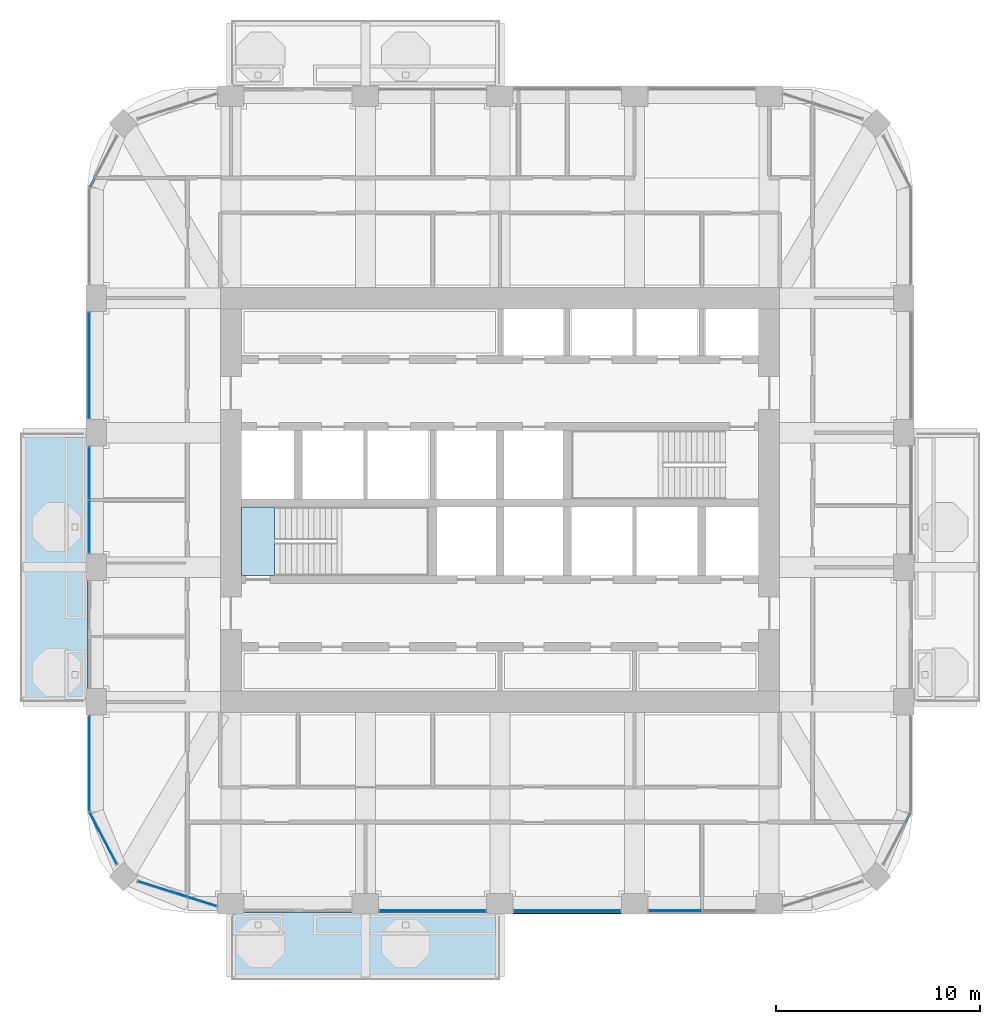
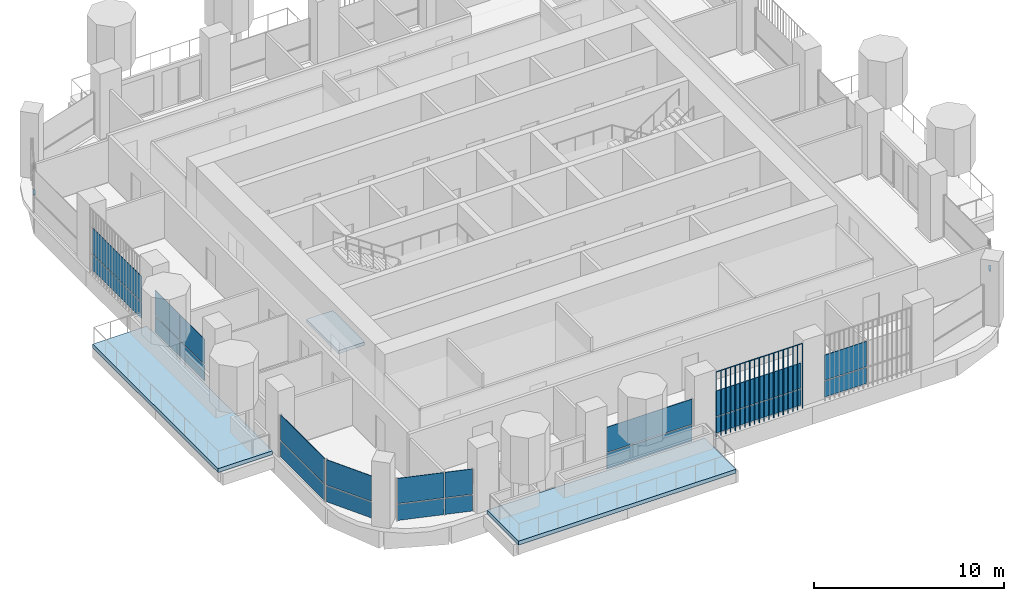
# One storey, part 8 of 20: 21 plates, 3 slabs, 2 members, 11 elements without a shape of their own.
"""IFC4 building model written with IfcOpenShell, lengths in metres."""

from ifc_helpers import new_model, si_unit, direction, frame, origin, origin_2d, place, context, subcontext, project, spatial, polyline, rectangle, outline, extrude, material, layer, layer_set, material_profile, profile_set, type_object, element, aggregate, save


model = new_model("IFC4")

# Units and contexts
model_context = context("Model", 3, precision=1e-05, world=origin(), true_north=direction((0.0, 1.0)))
body_context = subcontext(model_context, "Body", "Model", "MODEL_VIEW")
ifc_project = project(units=[si_unit("LENGTHUNIT", "METRE"), si_unit("AREAUNIT", "SQUARE_METRE"), si_unit("VOLUMEUNIT", "CUBIC_METRE"), si_unit("PLANEANGLEUNIT", "RADIAN"), si_unit("MASSUNIT", "GRAM", prefix="KILO")], contexts=[model_context])

# Site, building, storey
site_placement = place(None, origin())
site = spatial("IfcSite", under=ifc_project, at=site_placement, CompositionType="ELEMENT")
building_placement = place(site_placement, origin())
building = spatial("IfcBuilding", under=site, at=building_placement, Name="Cobogo Forest Laboratory Tower", CompositionType="ELEMENT")
storey_placement = place(building_placement, frame((0.0, 0.0, 246.0)))
storey = spatial("IfcBuildingStorey", under=building, at=storey_placement, Name="L56", CompositionType="ELEMENT", Elevation=246.0)

# Curtain wall, member
ifc_material_1 = material(Name="Aluminium curtain wall", Category="aluminium")
curtain_wall_type = type_object("IfcCurtainWallType", Name="CW-2 unitised curtain wall, solar control glazing, laboratory floors zones C and D", PredefinedType="USERDEFINED", material=ifc_material_1)
curtain_wall_1_placement = place(storey_placement, origin())
curtain_wall_1 = element("IfcCurtainWall", 1, at=curtain_wall_1_placement, inside=storey, type_object=curtain_wall_type, Name="Curtain wall 06 L56", ObjectType="UNITISED CURTAIN WALL", PredefinedType="USERDEFINED")
ifc_material_2 = material(Name="Aluminium transom", Category="aluminium")
ifc_material_profile = material_profile(ifc_material_2, rectangle(XDim=0.1201171875, YDim=0.06005859375, at=origin_2d()), Name="AL 60x120")
ifc_profile_set = profile_set([ifc_material_profile], Name="Aluminium transom")
member_type = type_object("IfcMemberType", Name="TR-1 aluminium transom 60x120", PredefinedType="USERDEFINED", material=ifc_profile_set)
member_1_placement = place(storey_placement, frame((46.282470703125, 7.289306640625, 1.050048828125), z_axis=(0.46414828098, 0.885757513806, 0.0), x_axis=(-0.885757513806, 0.46414828098, 0.0)))
member_1 = element("IfcMember", 2, at=member_1_placement, type_object=member_type, Name="CW-2 transom 2.1", ObjectType="TRANSOM", PredefinedType="USERDEFINED", context=body_context, shape_type="SweptSolid", body=[
    extrude(rectangle(XDim=0.1201171875, YDim=0.06005859375, at=origin_2d()), origin(), (0.0, 0.0, 1.0), 0.5166015625),
])
aggregate(curtain_wall_1, [member_1])

curtain_wall_2_placement = place(storey_placement, origin())
curtain_wall_2 = element("IfcCurtainWall", 3, at=curtain_wall_2_placement, inside=storey, type_object=curtain_wall_type, Name="Curtain wall 19 L56", ObjectType="UNITISED CURTAIN WALL", PredefinedType="USERDEFINED")
member_2_placement = place(storey_placement, frame((6.517578125, 38.91064453125, 1.050048828125), z_axis=(-0.46414828098, -0.885757513806, 0.0), x_axis=(0.885757513806, -0.46414828098, 0.0)))
member_2 = element("IfcMember", 4, at=member_2_placement, type_object=member_type, Name="CW-2 transom 2.1", ObjectType="TRANSOM", PredefinedType="USERDEFINED", context=body_context, shape_type="SweptSolid", body=[
    extrude(rectangle(XDim=0.1201171875, YDim=0.06005859375, at=origin_2d()), origin(), (0.0, 0.0, 1.0), 0.5166015625),
])
aggregate(curtain_wall_2, [member_2])

# Slabs
ifc_material_3 = material(Name="Concrete HA-40 (C40/50)", Category="concrete")
ifc_layer_1 = layer(ifc_material_3, 0.25)
ifc_layer_set_1 = layer_set([ifc_layer_1], Name="Balcony slab 250")
slab_type_1 = type_object("IfcSlabType", Name="Balcony slab 250", PredefinedType="FLOOR", material=ifc_layer_set_1)
slab_1_placement = place(storey_placement, frame((0.0, 0.0, -0.25)))
element("IfcSlab", 5, at=slab_1_placement, inside=storey, type_object=slab_type_1, Name="Balcony BAL-S1 L56", PredefinedType="FLOOR", context=body_context, shape_type="SweptSolid", body=[
    extrude(outline(polyline([(13.199951171875, -0.449951171875), (26.39990234375, -0.449951171875), (26.39990234375, 2.85009765625), (13.199951171875, 2.85009765625), (13.199951171875, -0.449951171875)])), origin(), (0.0, 0.0, 1.0), 0.25),
])
slab_2_placement = place(storey_placement, frame((0.0, 0.0, -0.25)))
element("IfcSlab", 6, at=slab_2_placement, inside=storey, type_object=slab_type_1, Name="Balcony BAL-W1 L56", PredefinedType="FLOOR", context=body_context, shape_type="SweptSolid", body=[
    extrude(outline(polyline([(2.85009765625, 13.199951171875), (6.14990234375, 13.199951171875), (6.14990234375, 26.39990234375), (2.85009765625, 26.39990234375), (2.85009765625, 13.199951171875)])), origin(), (0.0, 0.0, 1.0), 0.25),
])

# Curtain wall, plates
curtain_wall_3_placement = place(storey_placement, origin())
curtain_wall_3 = element("IfcCurtainWall", 7, at=curtain_wall_3_placement, inside=storey, type_object=curtain_wall_type, Name="Curtain wall 02 L56", ObjectType="UNITISED CURTAIN WALL", PredefinedType="USERDEFINED")
ifc_material_4 = material(Name="Solar control insulated glass", Category="glass")
ifc_layer_2 = layer(ifc_material_4, 0.031982421875)
ifc_layer_set_2 = layer_set([ifc_layer_2], Name="GP-2 solar control glass unit 32")
plate_type_1 = type_object("IfcPlateType", Name="GP-2 solar control glass unit 32", PredefinedType="CURTAIN_PANEL", material=ifc_layer_set_2)
plate_1_placement = place(storey_placement, frame((23.10009765625, 2.949951171875, 0.0), z_axis=(0.0, 0.0, 1.0), x_axis=(1.0, 0.0, 0.0)))
plate_1 = element("IfcPlate", 8, at=plate_1_placement, type_object=plate_type_1, Name="CW-2 panel 1.1", PredefinedType="CURTAIN_PANEL", context=body_context, shape_type="SweptSolid", body=[
    extrude(rectangle(XDim=5.179931640625, YDim=0.031982421875, at=origin_2d()), origin(), (0.0, 0.0, 1.0), 1.02001953125),
])
plate_2_placement = place(storey_placement, frame((23.10009765625, 2.949951171875, 1.079833984375), z_axis=(0.0, 0.0, 1.0), x_axis=(1.0, 0.0, 0.0)))
plate_2 = element("IfcPlate", 9, at=plate_2_placement, type_object=plate_type_1, Name="CW-2 panel 1.2", PredefinedType="CURTAIN_PANEL", context=body_context, shape_type="SweptSolid", body=[
    extrude(rectangle(XDim=5.179931640625, YDim=0.031982421875, at=origin_2d()), origin(), (0.0, 0.0, 1.0), 1.6201171875),
])
aggregate(curtain_wall_3, [plate_1, plate_2])

curtain_wall_4_placement = place(storey_placement, origin())
curtain_wall_4 = element("IfcCurtainWall", 10, at=curtain_wall_4_placement, inside=storey, type_object=curtain_wall_type, Name="Curtain wall 03 L56", ObjectType="UNITISED CURTAIN WALL", PredefinedType="USERDEFINED")
plate_3_placement = place(storey_placement, frame((29.699951171875, 2.949951171875, 0.0), z_axis=(0.0, 0.0, 1.0), x_axis=(1.0, 0.0, 0.0)))
plate_3 = element("IfcPlate", 11, at=plate_3_placement, type_object=plate_type_1, Name="CW-2 panel 1.1", PredefinedType="CURTAIN_PANEL", context=body_context, shape_type="SweptSolid", body=[
    extrude(rectangle(XDim=5.179931640625, YDim=0.031982421875, at=origin_2d()), origin(), (0.0, 0.0, 1.0), 1.02001953125),
])
plate_4_placement = place(storey_placement, frame((29.699951171875, 2.949951171875, 1.079833984375), z_axis=(0.0, 0.0, 1.0), x_axis=(1.0, 0.0, 0.0)))
plate_4 = element("IfcPlate", 12, at=plate_4_placement, type_object=plate_type_1, Name="CW-2 panel 1.2", PredefinedType="CURTAIN_PANEL", context=body_context, shape_type="SweptSolid", body=[
    extrude(rectangle(XDim=5.179931640625, YDim=0.031982421875, at=origin_2d()), origin(), (0.0, 0.0, 1.0), 1.6201171875),
])
aggregate(curtain_wall_4, [plate_3, plate_4])

curtain_wall_5_placement = place(storey_placement, origin())
curtain_wall_5 = element("IfcCurtainWall", 13, at=curtain_wall_5_placement, inside=storey, type_object=curtain_wall_type, Name="Curtain wall 04 L56", ObjectType="UNITISED CURTAIN WALL", PredefinedType="USERDEFINED")
plate_5_placement = place(storey_placement, frame((34.989990234375, 2.949951171875, 0.0), z_axis=(0.0, 0.0, 1.0), x_axis=(1.0, 0.0, 0.0)))
plate_5 = element("IfcPlate", 14, at=plate_5_placement, type_object=plate_type_1, Name="CW-2 panel 1.1", PredefinedType="CURTAIN_PANEL", context=body_context, shape_type="SweptSolid", body=[
    extrude(rectangle(XDim=2.56005859375, YDim=0.031982421875, at=origin_2d()), origin(), (0.0, 0.0, 1.0), 1.02001953125),
])
plate_6_placement = place(storey_placement, frame((34.989990234375, 2.949951171875, 1.079833984375), z_axis=(0.0, 0.0, 1.0), x_axis=(1.0, 0.0, 0.0)))
plate_6 = element("IfcPlate", 15, at=plate_6_placement, type_object=plate_type_1, Name="CW-2 panel 1.2", PredefinedType="CURTAIN_PANEL", context=body_context, shape_type="SweptSolid", body=[
    extrude(rectangle(XDim=2.56005859375, YDim=0.031982421875, at=origin_2d()), origin(), (0.0, 0.0, 1.0), 1.6201171875),
])
aggregate(curtain_wall_5, [plate_5, plate_6])

curtain_wall_6_placement = place(storey_placement, origin())
curtain_wall_6 = element("IfcCurtainWall", 16, at=curtain_wall_6_placement, inside=storey, type_object=curtain_wall_type, Name="Curtain wall 21 L56", ObjectType="UNITISED CURTAIN WALL", PredefinedType="USERDEFINED")
plate_7_placement = place(storey_placement, frame((6.25, 29.699951171875, 0.0), z_axis=(0.0, 0.0, 1.0), x_axis=(0.0, -1.0, 0.0)))
plate_7 = element("IfcPlate", 17, at=plate_7_placement, type_object=plate_type_1, Name="CW-2 panel 1.1", PredefinedType="CURTAIN_PANEL", context=body_context, shape_type="SweptSolid", body=[
    extrude(rectangle(XDim=5.179931640625, YDim=0.031982421875, at=origin_2d()), origin(), (0.0, 0.0, 1.0), 1.02001953125),
])
plate_8_placement = place(storey_placement, frame((6.25, 29.699951171875, 1.079833984375), z_axis=(0.0, 0.0, 1.0), x_axis=(0.0, -1.0, 0.0)))
plate_8 = element("IfcPlate", 18, at=plate_8_placement, type_object=plate_type_1, Name="CW-2 panel 1.2", PredefinedType="CURTAIN_PANEL", context=body_context, shape_type="SweptSolid", body=[
    extrude(rectangle(XDim=5.179931640625, YDim=0.031982421875, at=origin_2d()), origin(), (0.0, 0.0, 1.0), 1.6201171875),
])
aggregate(curtain_wall_6, [plate_7, plate_8])

curtain_wall_7_placement = place(storey_placement, origin())
curtain_wall_7 = element("IfcCurtainWall", 19, at=curtain_wall_7_placement, inside=storey, type_object=curtain_wall_type, Name="Curtain wall 22 L56", ObjectType="UNITISED CURTAIN WALL", PredefinedType="USERDEFINED")
plate_9_placement = place(storey_placement, frame((6.25, 24.409912109375, 0.0), z_axis=(0.0, 0.0, 1.0), x_axis=(0.0, -1.0, 0.0)))
plate_9 = element("IfcPlate", 20, at=plate_9_placement, type_object=plate_type_1, Name="CW-2 panel 1.1", PredefinedType="CURTAIN_PANEL", context=body_context, shape_type="SweptSolid", body=[
    extrude(rectangle(XDim=2.56005859375, YDim=0.031982421875, at=origin_2d()), origin(), (0.0, 0.0, 1.0), 1.02001953125),
])
plate_10_placement = place(storey_placement, frame((6.25, 24.409912109375, 1.079833984375), z_axis=(0.0, 0.0, 1.0), x_axis=(0.0, -1.0, 0.0)))
plate_10 = element("IfcPlate", 21, at=plate_10_placement, type_object=plate_type_1, Name="CW-2 panel 1.2", PredefinedType="CURTAIN_PANEL", context=body_context, shape_type="SweptSolid", body=[
    extrude(rectangle(XDim=2.56005859375, YDim=0.031982421875, at=origin_2d()), origin(), (0.0, 0.0, 1.0), 1.6201171875),
])
plate_11_placement = place(storey_placement, frame((6.25, 21.7900390625, 0.0), z_axis=(0.0, 0.0, 1.0), x_axis=(0.0, -1.0, 0.0)))
plate_11 = element("IfcPlate", 22, at=plate_11_placement, type_object=plate_type_1, Name="CW-2 panel 2.1", PredefinedType="CURTAIN_PANEL", context=body_context, shape_type="SweptSolid", body=[
    extrude(rectangle(XDim=2.56005859375, YDim=0.031982421875, at=origin_2d()), origin(), (0.0, 0.0, 1.0), 1.02001953125),
])
plate_12_placement = place(storey_placement, frame((6.25, 21.7900390625, 1.079833984375), z_axis=(0.0, 0.0, 1.0), x_axis=(0.0, -1.0, 0.0)))
plate_12 = element("IfcPlate", 23, at=plate_12_placement, type_object=plate_type_1, Name="CW-2 panel 2.2", PredefinedType="CURTAIN_PANEL", context=body_context, shape_type="SweptSolid", body=[
    extrude(rectangle(XDim=2.56005859375, YDim=0.031982421875, at=origin_2d()), origin(), (0.0, 0.0, 1.0), 1.6201171875),
])
aggregate(curtain_wall_7, [plate_9, plate_10, plate_11, plate_12])

curtain_wall_8_placement = place(storey_placement, origin())
curtain_wall_8 = element("IfcCurtainWall", 24, at=curtain_wall_8_placement, inside=storey, type_object=curtain_wall_type, Name="Curtain wall 24 L56", ObjectType="UNITISED CURTAIN WALL", PredefinedType="USERDEFINED")
plate_13_placement = place(storey_placement, frame((6.25, 10.175048828125, 0.0), z_axis=(0.0, 0.0, 1.0), x_axis=(0.0, -1.0, 0.0)))
plate_13 = element("IfcPlate", 25, at=plate_13_placement, type_object=plate_type_1, Name="CW-2 panel 1.1", PredefinedType="CURTAIN_PANEL", context=body_context, shape_type="SweptSolid", body=[
    extrude(rectangle(XDim=4.6298828125, YDim=0.031982421875, at=origin_2d()), origin(), (0.0, 0.0, 1.0), 1.02001953125),
])
plate_14_placement = place(storey_placement, frame((6.25, 10.175048828125, 1.079833984375), z_axis=(0.0, 0.0, 1.0), x_axis=(0.0, -1.0, 0.0)))
plate_14 = element("IfcPlate", 26, at=plate_14_placement, type_object=plate_type_1, Name="CW-2 panel 1.2", PredefinedType="CURTAIN_PANEL", context=body_context, shape_type="SweptSolid", body=[
    extrude(rectangle(XDim=4.6298828125, YDim=0.031982421875, at=origin_2d()), origin(), (0.0, 0.0, 1.0), 1.6201171875),
])
aggregate(curtain_wall_8, [plate_13, plate_14])

curtain_wall_9_placement = place(storey_placement, origin())
curtain_wall_9 = element("IfcCurtainWall", 27, at=curtain_wall_9_placement, inside=storey, type_object=curtain_wall_type, Name="Curtain wall 25 L56", ObjectType="UNITISED CURTAIN WALL", PredefinedType="USERDEFINED")
plate_15_placement = place(storey_placement, frame((6.930908203125, 6.501220703125, 0.0), z_axis=(0.0, 0.0, 1.0), x_axis=(0.464283791352, -0.885686491422, 0.0)))
plate_15 = element("IfcPlate", 28, at=plate_15_placement, type_object=plate_type_1, Name="CW-2 panel 1.1", PredefinedType="CURTAIN_PANEL", context=body_context, shape_type="SweptSolid", body=[
    extrude(rectangle(XDim=2.812744140625, YDim=0.031982421875, at=origin_2d()), origin(), (0.0, 0.0, 1.0), 1.02001953125),
])
plate_16_placement = place(storey_placement, frame((6.930908203125, 6.501220703125, 1.079833984375), z_axis=(0.0, 0.0, 1.0), x_axis=(0.464283791352, -0.885686491422, 0.0)))
plate_16 = element("IfcPlate", 29, at=plate_16_placement, type_object=plate_type_1, Name="CW-2 panel 1.2", PredefinedType="CURTAIN_PANEL", context=body_context, shape_type="SweptSolid", body=[
    extrude(rectangle(XDim=2.812744140625, YDim=0.031982421875, at=origin_2d()), origin(), (0.0, 0.0, 1.0), 1.6201171875),
])
aggregate(curtain_wall_9, [plate_15, plate_16])

curtain_wall_10_placement = place(storey_placement, origin())
curtain_wall_10 = element("IfcCurtainWall", 30, at=curtain_wall_10_placement, inside=storey, type_object=curtain_wall_type, Name="Curtain wall 26 L56", ObjectType="UNITISED CURTAIN WALL", PredefinedType="USERDEFINED")
plate_17_placement = place(storey_placement, frame((9.83740234375, 4.011962890625, 0.0), z_axis=(0.0, 0.0, 1.0), x_axis=(0.953581386052, -0.301135418334, 0.0)))
plate_17 = element("IfcPlate", 31, at=plate_17_placement, type_object=plate_type_1, Name="CW-2 panel 1.1", PredefinedType="CURTAIN_PANEL", context=body_context, shape_type="SweptSolid", body=[
    extrude(rectangle(XDim=2.4853515625, YDim=0.031982421875, at=origin_2d()), origin(), (0.0, 0.0, 1.0), 1.02001953125),
])
plate_18_placement = place(storey_placement, frame((9.83740234375, 4.011962890625, 1.079833984375), z_axis=(0.0, 0.0, 1.0), x_axis=(0.953581386052, -0.301135418334, 0.0)))
plate_18 = element("IfcPlate", 32, at=plate_18_placement, type_object=plate_type_1, Name="CW-2 panel 1.2", PredefinedType="CURTAIN_PANEL", context=body_context, shape_type="SweptSolid", body=[
    extrude(rectangle(XDim=2.4853515625, YDim=0.031982421875, at=origin_2d()), origin(), (0.0, 0.0, 1.0), 1.6201171875),
])
plate_19_placement = place(storey_placement, frame((11.7861328125, 3.396484375, 0.0), z_axis=(0.0, 0.0, 1.0), x_axis=(0.953581386052, -0.301135418334, 0.0)))
plate_19 = element("IfcPlate", 33, at=plate_19_placement, type_object=plate_type_1, Name="CW-2 panel 2.1", PredefinedType="CURTAIN_PANEL", context=body_context, shape_type="SweptSolid", body=[
    extrude(rectangle(XDim=1.482177734375, YDim=0.031982421875, at=origin_2d()), origin(), (0.0, 0.0, 1.0), 1.02001953125),
])
plate_20_placement = place(storey_placement, frame((11.7861328125, 3.396484375, 1.079833984375), z_axis=(0.0, 0.0, 1.0), x_axis=(0.953581386052, -0.301135418334, 0.0)))
plate_20 = element("IfcPlate", 34, at=plate_20_placement, type_object=plate_type_1, Name="CW-2 panel 2.2", PredefinedType="CURTAIN_PANEL", context=body_context, shape_type="SweptSolid", body=[
    extrude(rectangle(XDim=1.482177734375, YDim=0.031982421875, at=origin_2d()), origin(), (0.0, 0.0, 1.0), 1.6201171875),
])
aggregate(curtain_wall_10, [plate_17, plate_18, plate_19, plate_20])

# Stair, slab
ifc_material_5 = material(Name="Precast concrete HA-40 (C40/50)", Category="concrete")
stair_type = type_object("IfcStairType", Name="ST24 exit stair 24 risers", PredefinedType="HALF_TURN_STAIR", material=ifc_material_5)
stair_placement = place(storey_placement, origin())
stair = element("IfcStair", 35, at=stair_placement, inside=storey, type_object=stair_type, Name="Stair 1 L56 to L57", PredefinedType="HALF_TURN_STAIR")
ifc_layer_3 = layer(ifc_material_3, 0.199951171875)
ifc_layer_set_3 = layer_set([ifc_layer_3], Name="SL stair landing 200")
slab_type_2 = type_object("IfcSlabType", Name="SL stair landing 200", PredefinedType="LANDING", material=ifc_layer_set_3)
slab_3_placement = place(storey_placement, frame((0.0, 0.0, -0.199951171875)))
slab_3 = element("IfcSlab", 36, at=slab_3_placement, type_object=slab_type_2, Name="ST1 landing 1", PredefinedType="LANDING", context=body_context, shape_type="SweptSolid", body=[
    extrude(outline(polyline([(13.72509765625, 19.39990234375), (15.326904296875, 19.39990234375), (15.326904296875, 22.75), (13.72509765625, 22.75), (13.72509765625, 19.39990234375)])), origin(), (0.0, 0.0, 1.0), 0.199951171875),
])
aggregate(stair, [slab_3])

# Plate
ifc_material_6 = material(Name="Terracotta", Category="masonry")
plate_type_2 = type_object("IfcPlateType", Name="TB1 terracotta baguette screen", PredefinedType="USERDEFINED", material=ifc_material_6)
plate_21_placement = place(storey_placement, frame((27.081298828125, 2.822021484375, -0.14990234375)))
element("IfcPlate", 37, at=plate_21_placement, inside=storey, type_object=plate_type_2, Name="Baguette screen S3 L56", ObjectType="BAGUETTE SCREEN", PredefinedType="USERDEFINED", context=body_context, shape_type="SweptSolid", body=[
    extrude(outline(polyline([(0.02880859375, 0.011962890625), (0.011962890625, 0.02880859375), (-0.011962890625, 0.02880859375), (-0.02880859375, 0.011962890625), (-0.02880859375, -0.011962890625), (-0.011962890625, -0.02880859375), (0.011962890625, -0.02880859375), (0.02880859375, -0.011962890625), (0.02880859375, 0.011962890625)])), frame((0.0, 0.0, 4.168701171875), z_axis=(1.0, 0.0, 0.0), x_axis=(0.0, 1.0, 0.0)), (0.0, 0.0, 1.0), 5.237548828125),
    extrude(outline(polyline([(0.02880859375, 0.011962890625), (0.011962890625, 0.02880859375), (-0.011962890625, 0.02880859375), (-0.02880859375, 0.011962890625), (-0.02880859375, -0.011962890625), (-0.011962890625, -0.02880859375), (0.011962890625, -0.02880859375), (0.02880859375, -0.011962890625), (0.02880859375, 0.011962890625)])), origin(), (0.0, 0.0, 1.0), 4.137451171875),
    extrude(outline(polyline([(0.02880859375, 0.011962890625), (0.011962890625, 0.02880859375), (-0.011962890625, 0.02880859375), (-0.02880859375, 0.011962890625), (-0.02880859375, -0.011962890625), (-0.011962890625, -0.02880859375), (0.011962890625, -0.02880859375), (0.02880859375, -0.011962890625), (0.02880859375, 0.011962890625)])), frame((0.291015625, 0.0, 0.0)), (0.0, 0.0, 1.0), 4.137451171875),
    extrude(outline(polyline([(0.02880859375, 0.011962890625), (0.011962890625, 0.02880859375), (-0.011962890625, 0.02880859375), (-0.02880859375, 0.011962890625), (-0.02880859375, -0.011962890625), (-0.011962890625, -0.02880859375), (0.011962890625, -0.02880859375), (0.02880859375, -0.011962890625), (0.02880859375, 0.011962890625)])), frame((0.58203125, 0.0, 0.0)), (0.0, 0.0, 1.0), 4.137451171875),
    extrude(outline(polyline([(0.02880859375, 0.011962890625), (0.011962890625, 0.02880859375), (-0.011962890625, 0.02880859375), (-0.02880859375, 0.011962890625), (-0.02880859375, -0.011962890625), (-0.011962890625, -0.02880859375), (0.011962890625, -0.02880859375), (0.02880859375, -0.011962890625), (0.02880859375, 0.011962890625)])), frame((0.873046875, 0.0, 0.0)), (0.0, 0.0, 1.0), 4.137451171875),
    extrude(outline(polyline([(0.02880859375, 0.011962890625), (0.011962890625, 0.02880859375), (-0.011962890625, 0.02880859375), (-0.02880859375, 0.011962890625), (-0.02880859375, -0.011962890625), (-0.011962890625, -0.02880859375), (0.011962890625, -0.02880859375), (0.02880859375, -0.011962890625), (0.02880859375, 0.011962890625)])), frame((1.163818359375, 0.0, 0.0)), (0.0, 0.0, 1.0), 4.137451171875),
    extrude(outline(polyline([(0.02880859375, 0.011962890625), (0.011962890625, 0.02880859375), (-0.011962890625, 0.02880859375), (-0.02880859375, 0.011962890625), (-0.02880859375, -0.011962890625), (-0.011962890625, -0.02880859375), (0.011962890625, -0.02880859375), (0.02880859375, -0.011962890625), (0.02880859375, 0.011962890625)])), frame((1.454833984375, 0.0, 0.0)), (0.0, 0.0, 1.0), 4.137451171875),
    extrude(outline(polyline([(0.02880859375, 0.011962890625), (0.011962890625, 0.02880859375), (-0.011962890625, 0.02880859375), (-0.02880859375, 0.011962890625), (-0.02880859375, -0.011962890625), (-0.011962890625, -0.02880859375), (0.011962890625, -0.02880859375), (0.02880859375, -0.011962890625), (0.02880859375, 0.011962890625)])), frame((1.745849609375, 0.0, 0.0)), (0.0, 0.0, 1.0), 4.137451171875),
    extrude(outline(polyline([(0.02880859375, 0.011962890625), (0.011962890625, 0.02880859375), (-0.011962890625, 0.02880859375), (-0.02880859375, 0.011962890625), (-0.02880859375, -0.011962890625), (-0.011962890625, -0.02880859375), (0.011962890625, -0.02880859375), (0.02880859375, -0.011962890625), (0.02880859375, 0.011962890625)])), frame((2.036865234375, 0.0, 0.0)), (0.0, 0.0, 1.0), 4.137451171875),
    extrude(outline(polyline([(0.02880859375, 0.011962890625), (0.011962890625, 0.02880859375), (-0.011962890625, 0.02880859375), (-0.02880859375, 0.011962890625), (-0.02880859375, -0.011962890625), (-0.011962890625, -0.02880859375), (0.011962890625, -0.02880859375), (0.02880859375, -0.011962890625), (0.02880859375, 0.011962890625)])), frame((2.327880859375, 0.0, 0.0)), (0.0, 0.0, 1.0), 4.137451171875),
    extrude(outline(polyline([(0.02880859375, 0.011962890625), (0.011962890625, 0.02880859375), (-0.011962890625, 0.02880859375), (-0.02880859375, 0.011962890625), (-0.02880859375, -0.011962890625), (-0.011962890625, -0.02880859375), (0.011962890625, -0.02880859375), (0.02880859375, -0.011962890625), (0.02880859375, 0.011962890625)])), frame((2.61865234375, 0.0, 0.0)), (0.0, 0.0, 1.0), 4.137451171875),
    extrude(outline(polyline([(0.02880859375, 0.011962890625), (0.011962890625, 0.02880859375), (-0.011962890625, 0.02880859375), (-0.02880859375, 0.011962890625), (-0.02880859375, -0.011962890625), (-0.011962890625, -0.02880859375), (0.011962890625, -0.02880859375), (0.02880859375, -0.011962890625), (0.02880859375, 0.011962890625)])), frame((2.90966796875, 0.0, 0.0)), (0.0, 0.0, 1.0), 4.137451171875),
    extrude(outline(polyline([(0.02880859375, 0.011962890625), (0.011962890625, 0.02880859375), (-0.011962890625, 0.02880859375), (-0.02880859375, 0.011962890625), (-0.02880859375, -0.011962890625), (-0.011962890625, -0.02880859375), (0.011962890625, -0.02880859375), (0.02880859375, -0.011962890625), (0.02880859375, 0.011962890625)])), frame((3.20068359375, 0.0, 0.0)), (0.0, 0.0, 1.0), 4.137451171875),
    extrude(outline(polyline([(0.02880859375, 0.011962890625), (0.011962890625, 0.02880859375), (-0.011962890625, 0.02880859375), (-0.02880859375, 0.011962890625), (-0.02880859375, -0.011962890625), (-0.011962890625, -0.02880859375), (0.011962890625, -0.02880859375), (0.02880859375, -0.011962890625), (0.02880859375, 0.011962890625)])), frame((3.49169921875, 0.0, 0.0)), (0.0, 0.0, 1.0), 4.137451171875),
    extrude(outline(polyline([(0.02880859375, 0.011962890625), (0.011962890625, 0.02880859375), (-0.011962890625, 0.02880859375), (-0.02880859375, 0.011962890625), (-0.02880859375, -0.011962890625), (-0.011962890625, -0.02880859375), (0.011962890625, -0.02880859375), (0.02880859375, -0.011962890625), (0.02880859375, 0.011962890625)])), frame((3.78271484375, 0.0, 0.0)), (0.0, 0.0, 1.0), 4.137451171875),
    extrude(outline(polyline([(0.02880859375, 0.011962890625), (0.011962890625, 0.02880859375), (-0.011962890625, 0.02880859375), (-0.02880859375, 0.011962890625), (-0.02880859375, -0.011962890625), (-0.011962890625, -0.02880859375), (0.011962890625, -0.02880859375), (0.02880859375, -0.011962890625), (0.02880859375, 0.011962890625)])), frame((4.07373046875, 0.0, 0.0)), (0.0, 0.0, 1.0), 4.137451171875),
    extrude(outline(polyline([(0.02880859375, 0.011962890625), (0.011962890625, 0.02880859375), (-0.011962890625, 0.02880859375), (-0.02880859375, 0.011962890625), (-0.02880859375, -0.011962890625), (-0.011962890625, -0.02880859375), (0.011962890625, -0.02880859375), (0.02880859375, -0.011962890625), (0.02880859375, 0.011962890625)])), frame((4.36474609375, 0.0, 0.0)), (0.0, 0.0, 1.0), 4.137451171875),
    extrude(outline(polyline([(0.02880859375, 0.011962890625), (0.011962890625, 0.02880859375), (-0.011962890625, 0.02880859375), (-0.02880859375, 0.011962890625), (-0.02880859375, -0.011962890625), (-0.011962890625, -0.02880859375), (0.011962890625, -0.02880859375), (0.02880859375, -0.011962890625), (0.02880859375, 0.011962890625)])), frame((4.655517578125, 0.0, 0.0)), (0.0, 0.0, 1.0), 4.137451171875),
    extrude(outline(polyline([(0.02880859375, 0.011962890625), (0.011962890625, 0.02880859375), (-0.011962890625, 0.02880859375), (-0.02880859375, 0.011962890625), (-0.02880859375, -0.011962890625), (-0.011962890625, -0.02880859375), (0.011962890625, -0.02880859375), (0.02880859375, -0.011962890625), (0.02880859375, 0.011962890625)])), frame((4.946533203125, 0.0, 0.0)), (0.0, 0.0, 1.0), 4.137451171875),
    extrude(outline(polyline([(0.02880859375, 0.011962890625), (0.011962890625, 0.02880859375), (-0.011962890625, 0.02880859375), (-0.02880859375, 0.011962890625), (-0.02880859375, -0.011962890625), (-0.011962890625, -0.02880859375), (0.011962890625, -0.02880859375), (0.02880859375, -0.011962890625), (0.02880859375, 0.011962890625)])), frame((5.237548828125, 0.0, 0.0)), (0.0, 0.0, 1.0), 4.137451171875),
])

save(model, "model.ifc")
